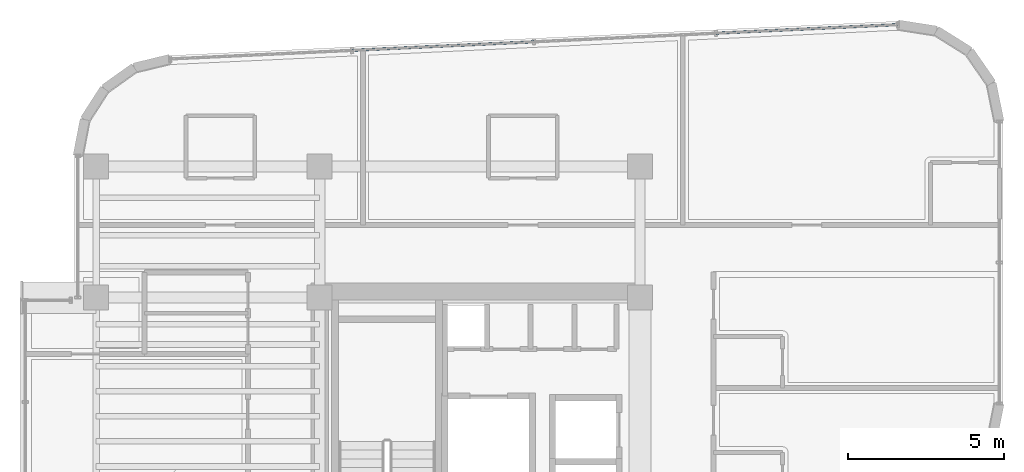
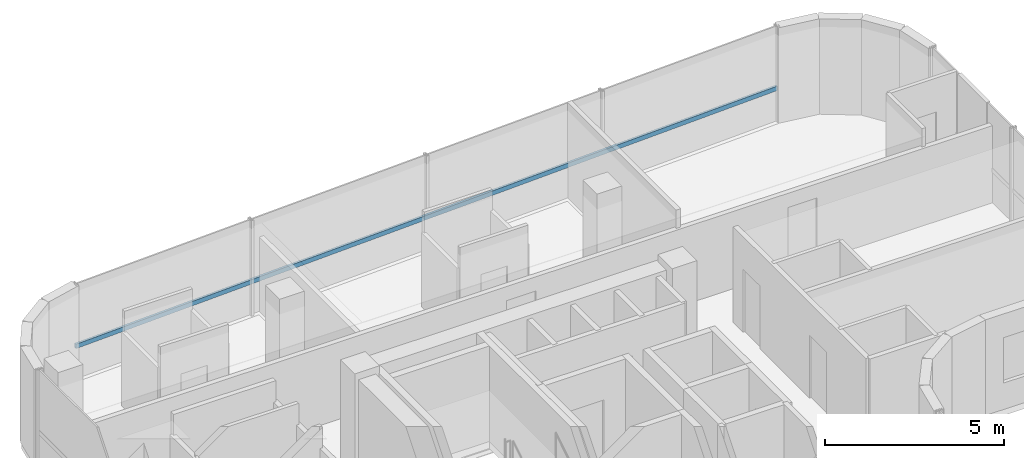
# One storey, part 11 of 20: 1 member, 1 element without a shape of its own.
"""IFC4 building model written with IfcOpenShell, lengths in metres."""

from ifc_helpers import new_model, si_unit, direction, frame, origin, origin_2d, place, context, subcontext, project, spatial, hollow_rectangle, extrude, source, transform, mapped, material, material_profile, profile_set, type_object, element, aggregate, save


model = new_model("IFC4")

# Units and contexts
model_context = context("Model", 3, precision=1e-05, world=origin(), true_north=direction((0.0, 1.0)))
body_context = subcontext(model_context, "Body", "Model", "MODEL_VIEW")
ifc_project = project(units=[si_unit("LENGTHUNIT", "METRE"), si_unit("AREAUNIT", "SQUARE_METRE"), si_unit("VOLUMEUNIT", "CUBIC_METRE"), si_unit("PLANEANGLEUNIT", "RADIAN"), si_unit("MASSUNIT", "GRAM", prefix="KILO")], contexts=[model_context])

# Site, building, storey
site_placement = place(None, origin())
site = spatial("IfcSite", under=ifc_project, at=site_placement, CompositionType="ELEMENT")
building_placement = place(site_placement, origin())
building = spatial("IfcBuilding", under=site, at=building_placement, Name="Valdorenza Pilgrim Sanctuary Tower", CompositionType="ELEMENT")
storey_placement = place(building_placement, frame((0.0, 0.0, 244.0)))
storey = spatial("IfcBuildingStorey", under=building, at=storey_placement, Name="L63", CompositionType="ELEMENT", Elevation=244.0)

# Curtain wall, member
ifc_material_1 = material(Name="Curtain-wall IGU glazing", Category="glass")
curtain_wall_type = type_object("IfcCurtainWallType", Name="CW-SYS-02", PredefinedType="NOTDEFINED", material=ifc_material_1)
curtain_wall_placement = place(storey_placement, origin())
curtain_wall = element("IfcCurtainWall", 1, at=curtain_wall_placement, inside=storey, type_object=curtain_wall_type, Name="L63 Curtain Wall CW-L63-1-6", PredefinedType="NOTDEFINED")
ifc_material_2 = material(Name="Anodised aluminium AW-6060", Category="aluminium")
ifc_material_profile = material_profile(ifc_material_2, hollow_rectangle(XDim=0.074951171875, YDim=0.14990234375, WallThickness=0.00390625, at=origin_2d()), Name="ALU-T 150x75x4")
ifc_profile_set = profile_set([ifc_material_profile], Name="Anodised aluminium AW-6060")
member_type = type_object("IfcMemberType", Name="CW-TRN-02", PredefinedType="USERDEFINED", material=ifc_profile_set)
shared_shape = source(origin(), body_context, "Body", "SweptSolid", [
    extrude(hollow_rectangle(XDim=0.074951171875, YDim=0.14990234375, WallThickness=0.00390625, at=origin_2d()), origin(), (0.0, 0.0, 1.0), 23.30419921875),
])
member_placement = place(storey_placement, frame((-27.43505859375, 18.234375, 1.1201171875), z_axis=(0.998890613053, 0.04709079693, 0.0), x_axis=(-0.04709079693, 0.998890613053, 0.0)))
member = element("IfcMember", 2, at=member_placement, type_object=member_type, Name="CW-L63-1-6 Transom 1", ObjectType="TRANSOM", PredefinedType="USERDEFINED", context=body_context, shape_type="MappedRepresentation", body=[
    mapped(shared_shape, transform((0.0, 0.0, 0.0), x_axis=(1.0, 0.0, 0.0), y_axis=(0.0, 1.0, 0.0), z_axis=(0.0, 0.0, 1.0), scale=1.0)),
])
aggregate(curtain_wall, [member])

save(model, "model.ifc")
